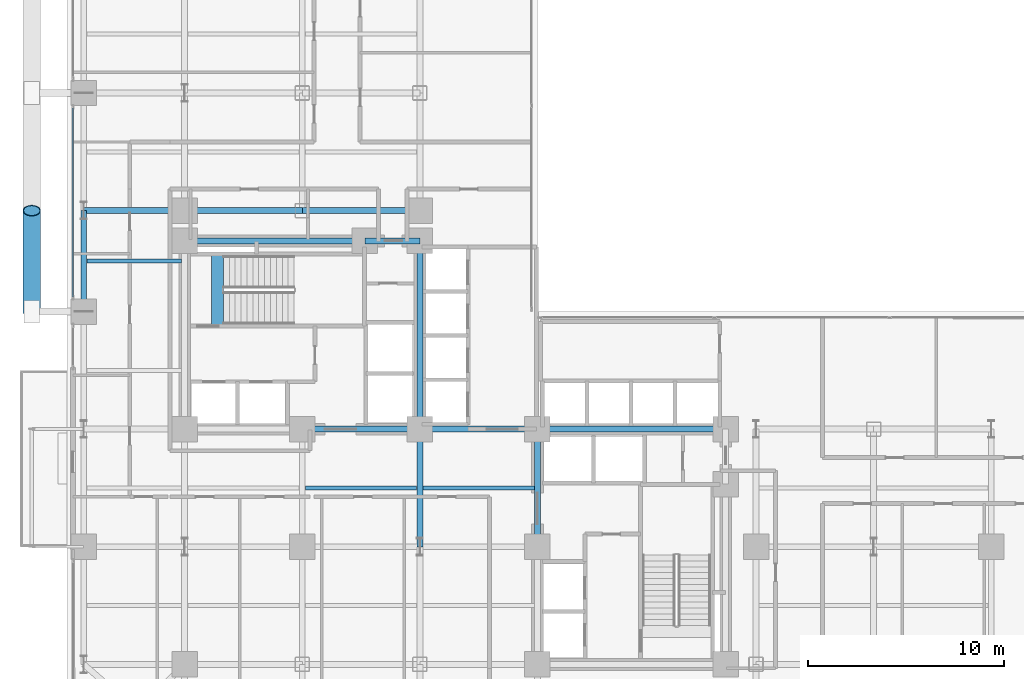
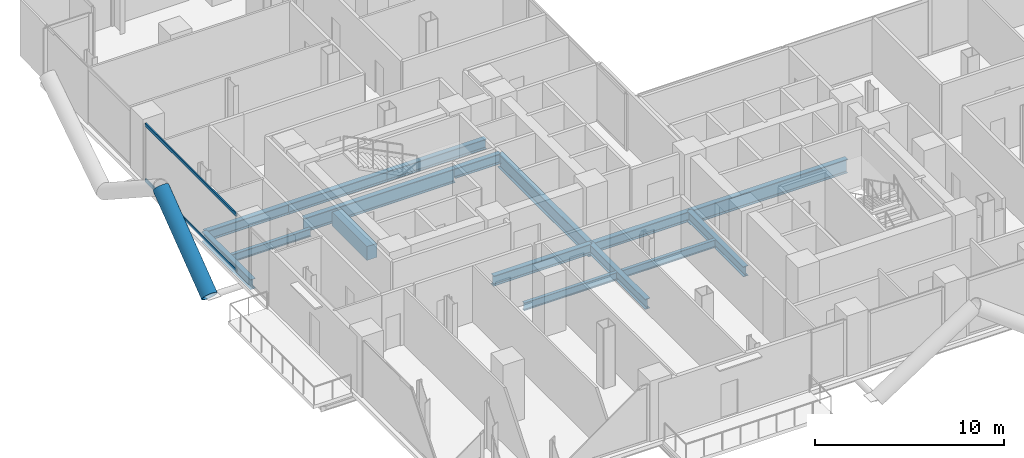
# One storey, part 6 of 25: 16 beams, 3 members, 1 element without a shape of its own.
"""IFC4 building model written with IfcOpenShell, lengths in metres."""

from ifc_helpers import new_model, si_unit, direction, frame, origin, origin_2d, place, context, subcontext, project, spatial, rectangle, hollow_rectangle, hollow_circle, i_section, extrude, material, layer, layer_set, material_profile, profile_set, type_object, element, aggregate, save


model = new_model("IFC4")

# Units and contexts
model_context = context("Model", 3, precision=1e-05, world=origin(), true_north=direction((0.0, 1.0)))
body_context = subcontext(model_context, "Body", "Model", "MODEL_VIEW")
ifc_project = project(units=[si_unit("LENGTHUNIT", "METRE"), si_unit("AREAUNIT", "SQUARE_METRE"), si_unit("VOLUMEUNIT", "CUBIC_METRE"), si_unit("PLANEANGLEUNIT", "RADIAN"), si_unit("MASSUNIT", "GRAM", prefix="KILO"), si_unit("THERMODYNAMICTEMPERATUREUNIT", "KELVIN"), si_unit("POWERUNIT", "WATT")], contexts=[model_context])

# Site, building, storey
site_placement = place(None, origin())
site = spatial("IfcSite", under=ifc_project, at=site_placement, CompositionType="ELEMENT")
building_placement = place(site_placement, origin())
building = spatial("IfcBuilding", under=site, at=building_placement, Name="Svarakhadi Broadcast Tower", CompositionType="ELEMENT")
storey_placement = place(building_placement, frame((0.0, 0.0, 51.89990234375)))
storey = spatial("IfcBuildingStorey", under=building, at=storey_placement, Name="L11", CompositionType="ELEMENT", Elevation=51.89990234375)

# Beams
ifc_material_1 = material(Name="Steel S355J2 (IS 2062 E350C)", Category="steel")
ifc_material_profile_1 = material_profile(ifc_material_1, i_section(OverallWidth=0.199951171875, OverallDepth=0.5, WebThickness=0.01025390625, FlangeThickness=0.01611328125, FilletRadius=0.02099609375, at=origin_2d()), Name="NPB 500x200x91")
ifc_profile_set_1 = profile_set([ifc_material_profile_1], Name="Steel S355J2 (IS 2062 E350C)")
beam_type_1 = type_object("IfcBeamType", Name="Beam_NPB500", PredefinedType="BEAM", material=ifc_profile_set_1)
beam_1_placement = place(storey_placement, frame((1.010009765625, 26.574951171875, -0.5), z_axis=(1.0, 0.0, 0.0), x_axis=(0.0, 1.0, 0.0)))
element("IfcBeam", 1, at=beam_1_placement, inside=storey, type_object=beam_type_1, Name="L11 Secondary Composite Beam SB004", PredefinedType="BEAM", context=body_context, shape_type="SweptSolid", body=[
    extrude(i_section(OverallWidth=0.199951171875, OverallDepth=0.5, WebThickness=0.01025390625, FlangeThickness=0.01611328125, FilletRadius=0.02099609375, at=origin_2d()), origin(), (0.0, 0.0, 1.0), 4.830078125),
])
for number, where, z_axis, x_axis, name in (
    (2, (12.159912109375, 15.0, -0.5), (1.0, 0.0, 0.0), (0.0, 1.0, 0.0), "L11 Secondary Composite Beam SB015"),
    (3, (18.159912109375, 15.0, -0.5), (1.0, 0.0, 0.0), (0.0, 1.0, 0.0), "L11 Secondary Composite Beam SB021"),
):
    element("IfcBeam", number, at=place(storey_placement, frame(where, z_axis=z_axis, x_axis=x_axis)), inside=storey, type_object=beam_type_1, Name=name, PredefinedType="BEAM", context=body_context, shape_type="SweptSolid", body=[
        extrude(i_section(OverallWidth=0.199951171875, OverallDepth=0.5, WebThickness=0.01025390625, FlangeThickness=0.01611328125, FilletRadius=0.02099609375, at=origin_2d()), origin(), (0.0, 0.0, 1.0), 5.68017578125),
    ])

# Curtain wall, members
ifc_material_2 = material(Name="Anodised Bronze Aluminium AA 6063-T6", Category="aluminium")
ifc_layer = layer(ifc_material_2, 0.219970703125)
ifc_layer_set = layer_set([ifc_layer], Name="Anodised Bronze Aluminium AA 6063-T6")
curtain_wall_type = type_object("IfcCurtainWallType", Name="CW_Sys_02", PredefinedType="NOTDEFINED", material=ifc_layer_set)
curtain_wall_placement = place(storey_placement, origin())
curtain_wall = element("IfcCurtainWall", 4, at=curtain_wall_placement, inside=storey, type_object=curtain_wall_type, Name="L11 West Curtain Wall 03 Bay 2", PredefinedType="NOTDEFINED")
ifc_material_profile_2 = material_profile(ifc_material_2, hollow_rectangle(XDim=0.074951171875, YDim=0.199951171875, WallThickness=0.0048828125, at=origin_2d()), Name="ALU TRANSOM 200x75x5")
ifc_profile_set_2 = profile_set([ifc_material_profile_2], Name="Anodised Bronze Aluminium AA 6063-T6")
member_type_1 = type_object("IfcMemberType", Name="CW_Sys_02_Trn", PredefinedType="USERDEFINED", material=ifc_profile_set_2)
member_1_placement = place(storey_placement, frame((0.300048828125, 24.7548828125, 0.03759765625), z_axis=(0.0, 1.0, 0.0), x_axis=(-1.0, 0.0, 0.0)))
member_1 = element("IfcMember", 5, at=member_1_placement, type_object=member_type_1, Name="CW-02 transom 1.1", ObjectType="TRANSOM", PredefinedType="USERDEFINED", context=body_context, shape_type="SweptSolid", body=[
    extrude(hollow_rectangle(XDim=0.074951171875, YDim=0.199951171875, WallThickness=0.0048828125, at=origin_2d()), origin(), (0.0, 0.0, 1.0), 9.64013671875),
])
member_2_placement = place(storey_placement, frame((0.300048828125, 24.7548828125, 3.612548828125), z_axis=(0.0, 1.0, 0.0), x_axis=(-1.0, 0.0, 0.0)))
member_2 = element("IfcMember", 6, at=member_2_placement, type_object=member_type_1, Name="CW-02 transom 1.2", ObjectType="TRANSOM", PredefinedType="USERDEFINED", context=body_context, shape_type="SweptSolid", body=[
    extrude(hollow_rectangle(XDim=0.074951171875, YDim=0.199951171875, WallThickness=0.0048828125, at=origin_2d()), origin(), (0.0, 0.0, 1.0), 9.64013671875),
])
aggregate(curtain_wall, [member_1, member_2])

# Beam
ifc_material_3 = material(Name="Concrete C50/60 (IS 456 M60)", Category="concrete")
ifc_material_profile_3 = material_profile(ifc_material_3, rectangle(XDim=0.60009765625, YDim=0.89990234375, at=origin_2d()), Name="RC 600x900")
ifc_profile_set_3 = profile_set([ifc_material_profile_3], Name="Concrete C50/60 (IS 456 M60)")
beam_type_2 = type_object("IfcBeamType", Name="Coupling_RC600", PredefinedType="USERDEFINED", material=ifc_profile_set_3)
beam_2_placement = place(storey_placement, frame((7.679931640625, 23.260009765625, -0.449951171875), z_axis=(0.0, 1.0, 0.0), x_axis=(-1.0, 0.0, 0.0)))
element("IfcBeam", 7, at=beam_2_placement, inside=storey, type_object=beam_type_2, Name="L11 Stair ST-01 Landing Throat Trimmer Beam CB-01", ObjectType="GIRDER", PredefinedType="USERDEFINED", context=body_context, shape_type="SweptSolid", body=[
    extrude(rectangle(XDim=0.60009765625, YDim=0.89990234375, at=origin_2d()), origin(), (0.0, 0.0, 1.0), 3.679931640625),
])

# Member
ifc_material_4 = material(Name="Steel S460ML (IS 2062 E450BR)", Category="steel")
ifc_material_profile_4 = material_profile(ifc_material_4, hollow_circle(Radius=0.45703125, WallThickness=0.044921875, at=origin_2d()), Name="CHS 914x45")
ifc_profile_set_4 = profile_set([ifc_material_profile_4], Name="Steel S460ML (IS 2062 E450BR)")
member_type_2 = type_object("IfcMemberType", Name="Exo_Brace_CHS914", PredefinedType="BRACE", material=ifc_profile_set_4)
member_3_placement = place(storey_placement, frame((-1.800048828125, 24.0, -0.427734375), z_axis=(0.0, 0.797188602897, 0.603730346605), x_axis=(-1.0, 0.0, 0.0)))
element("IfcMember", 8, at=member_3_placement, inside=storey, type_object=member_type_2, Name="L11 Exposed Bronze Exoskeleton Diagonal W05", PredefinedType="BRACE", context=body_context, shape_type="SweptSolid", body=[
    extrude(hollow_circle(Radius=0.45703125, WallThickness=0.044921875, at=origin_2d()), origin(), (0.0, 0.0, 1.0), 6.4599609375),
])

# Beams
ifc_material_profile_5 = material_profile(ifc_material_1, i_section(OverallWidth=0.300048828125, OverallDepth=0.64990234375, WebThickness=0.01611328125, FlangeThickness=0.031005859375, FilletRadius=0.027099609375, at=origin_2d()), Name="WPB 650x300x225")
ifc_profile_set_5 = profile_set([ifc_material_profile_5], Name="Steel S355J2 (IS 2062 E350C)")
beam_type_3 = type_object("IfcBeamType", Name="Girder_WPB650", PredefinedType="USERDEFINED", material=ifc_profile_set_5)
for number, where, z_axis, x_axis, name in (
    (9, (12.0, 18.0, -0.574951171875), (1.0, 0.0, 0.0), (0.0, 1.0, 0.0), "L11 Primary E-W Girder G027"),
    (10, (18.0, 18.0, -0.574951171875), (1.0, 0.0, 0.0), (0.0, 1.0, 0.0), "L11 Primary E-W Girder G028"),
):
    element("IfcBeam", number, at=place(storey_placement, frame(where, z_axis=z_axis, x_axis=x_axis)), inside=storey, type_object=beam_type_3, Name=name, ObjectType="GIRDER", PredefinedType="USERDEFINED", context=body_context, shape_type="SweptSolid", body=[
        extrude(i_section(OverallWidth=0.300048828125, OverallDepth=0.64990234375, WebThickness=0.01611328125, FlangeThickness=0.031005859375, FilletRadius=0.027099609375, at=origin_2d()), origin(), (0.0, 0.0, 1.0), 6.0),
    ])
beam_3_placement = place(storey_placement, frame((15.199951171875, 27.60009765625, -0.574951171875), z_axis=(1.0, 0.0, 0.0), x_axis=(0.0, 1.0, 0.0)))
element("IfcBeam", 11, at=beam_3_placement, inside=storey, type_object=beam_type_3, Name="L11 Primary E-W Girder G033", ObjectType="GIRDER", PredefinedType="USERDEFINED", context=body_context, shape_type="SweptSolid", body=[
    extrude(i_section(OverallWidth=0.300048828125, OverallDepth=0.64990234375, WebThickness=0.01611328125, FlangeThickness=0.031005859375, FilletRadius=0.027099609375, at=origin_2d()), origin(), (0.0, 0.0, 1.0), 2.800048828125),
])
beam_4_placement = place(storey_placement, frame((0.85009765625, 29.14990234375, -0.574951171875), z_axis=(1.0, 0.0, 0.0), x_axis=(0.0, 1.0, 0.0)))
element("IfcBeam", 12, at=beam_4_placement, inside=storey, type_object=beam_type_3, Name="L11 Primary E-W Girder G034", ObjectType="GIRDER", PredefinedType="USERDEFINED", context=body_context, shape_type="SweptSolid", body=[
    extrude(i_section(OverallWidth=0.300048828125, OverallDepth=0.64990234375, WebThickness=0.01611328125, FlangeThickness=0.031005859375, FilletRadius=0.027099609375, at=origin_2d()), origin(), (0.0, 0.0, 1.0), 5.14990234375),
])
for number, where, z_axis, x_axis, name in (
    (13, (6.0, 29.14990234375, -0.574951171875), (1.0, 0.0, 0.0), (0.0, 1.0, 0.0), "L11 Primary E-W Girder G035"),
    (14, (12.0, 29.14990234375, -0.574951171875), (1.0, 0.0, 0.0), (0.0, 1.0, 0.0), "L11 Primary E-W Girder G036"),
):
    element("IfcBeam", number, at=place(storey_placement, frame(where, z_axis=z_axis, x_axis=x_axis)), inside=storey, type_object=beam_type_3, Name=name, ObjectType="GIRDER", PredefinedType="USERDEFINED", context=body_context, shape_type="SweptSolid", body=[
        extrude(i_section(OverallWidth=0.300048828125, OverallDepth=0.64990234375, WebThickness=0.01611328125, FlangeThickness=0.031005859375, FilletRadius=0.027099609375, at=origin_2d()), origin(), (0.0, 0.0, 1.0), 6.0),
    ])
beam_5_placement = place(storey_placement, frame((0.85009765625, 24.0, -0.574951171875), z_axis=(0.0, 1.0, 0.0), x_axis=(-1.0, 0.0, 0.0)))
element("IfcBeam", 15, at=beam_5_placement, inside=storey, type_object=beam_type_3, Name="L11 Primary N-S Girder G048", ObjectType="GIRDER", PredefinedType="USERDEFINED", context=body_context, shape_type="SweptSolid", body=[
    extrude(i_section(OverallWidth=0.300048828125, OverallDepth=0.64990234375, WebThickness=0.01611328125, FlangeThickness=0.031005859375, FilletRadius=0.027099609375, at=origin_2d()), origin(), (0.0, 0.0, 1.0), 5.14990234375),
])
for number, where, z_axis, x_axis, name in (
    (16, (18.0, 12.0, -0.574951171875), (0.0, 1.0, 0.0), (-1.0, 0.0, 0.0), "L11 Primary N-S Girder G066"),
    (17, (24.0, 12.0, -0.574951171875), (0.0, 1.0, 0.0), (-1.0, 0.0, 0.0), "L11 Primary N-S Girder G073"),
):
    element("IfcBeam", number, at=place(storey_placement, frame(where, z_axis=z_axis, x_axis=x_axis)), inside=storey, type_object=beam_type_3, Name=name, ObjectType="GIRDER", PredefinedType="USERDEFINED", context=body_context, shape_type="SweptSolid", body=[
        extrude(i_section(OverallWidth=0.300048828125, OverallDepth=0.64990234375, WebThickness=0.01611328125, FlangeThickness=0.031005859375, FilletRadius=0.027099609375, at=origin_2d()), origin(), (0.0, 0.0, 1.0), 6.0),
    ])
ifc_material_profile_6 = material_profile(ifc_material_4, i_section(OverallWidth=0.300048828125, OverallDepth=0.89990234375, WebThickness=0.0185546875, FlangeThickness=0.034912109375, FilletRadius=0.030029296875, at=origin_2d()), Name="WPB 900x300x291")
ifc_profile_set_6 = profile_set([ifc_material_profile_6], Name="Steel S460ML (IS 2062 E450BR)")
beam_type_4 = type_object("IfcBeamType", Name="Girder_WPB900", PredefinedType="USERDEFINED", material=ifc_profile_set_6)
beam_6_placement = place(storey_placement, frame((24.0, 18.0, -0.699951171875), z_axis=(1.0, 0.0, 0.0), x_axis=(0.0, 1.0, 0.0)))
element("IfcBeam", 18, at=beam_6_placement, inside=storey, type_object=beam_type_4, Name="L11 Primary E-W Girder G029", ObjectType="GIRDER", PredefinedType="USERDEFINED", context=body_context, shape_type="SweptSolid", body=[
    extrude(i_section(OverallWidth=0.300048828125, OverallDepth=0.89990234375, WebThickness=0.0185546875, FlangeThickness=0.034912109375, FilletRadius=0.030029296875, at=origin_2d()), origin(), (0.0, 0.0, 1.0), 9.60009765625),
])
beam_7_placement = place(storey_placement, frame((6.0, 27.60009765625, -0.699951171875), z_axis=(1.0, 0.0, 0.0), x_axis=(0.0, 1.0, 0.0)))
element("IfcBeam", 19, at=beam_7_placement, inside=storey, type_object=beam_type_4, Name="L11 Primary E-W Girder G032", ObjectType="GIRDER", PredefinedType="USERDEFINED", context=body_context, shape_type="SweptSolid", body=[
    extrude(i_section(OverallWidth=0.300048828125, OverallDepth=0.89990234375, WebThickness=0.0185546875, FlangeThickness=0.034912109375, FilletRadius=0.030029296875, at=origin_2d()), origin(), (0.0, 0.0, 1.0), 9.199951171875),
])
beam_8_placement = place(storey_placement, frame((18.0, 18.0, -0.699951171875), z_axis=(0.0, 1.0, 0.0), x_axis=(-1.0, 0.0, 0.0)))
element("IfcBeam", 20, at=beam_8_placement, inside=storey, type_object=beam_type_4, Name="L11 Primary N-S Girder G067", ObjectType="GIRDER", PredefinedType="USERDEFINED", context=body_context, shape_type="SweptSolid", body=[
    extrude(i_section(OverallWidth=0.300048828125, OverallDepth=0.89990234375, WebThickness=0.0185546875, FlangeThickness=0.034912109375, FilletRadius=0.030029296875, at=origin_2d()), origin(), (0.0, 0.0, 1.0), 9.60009765625),
])

save(model, "model.ifc")
